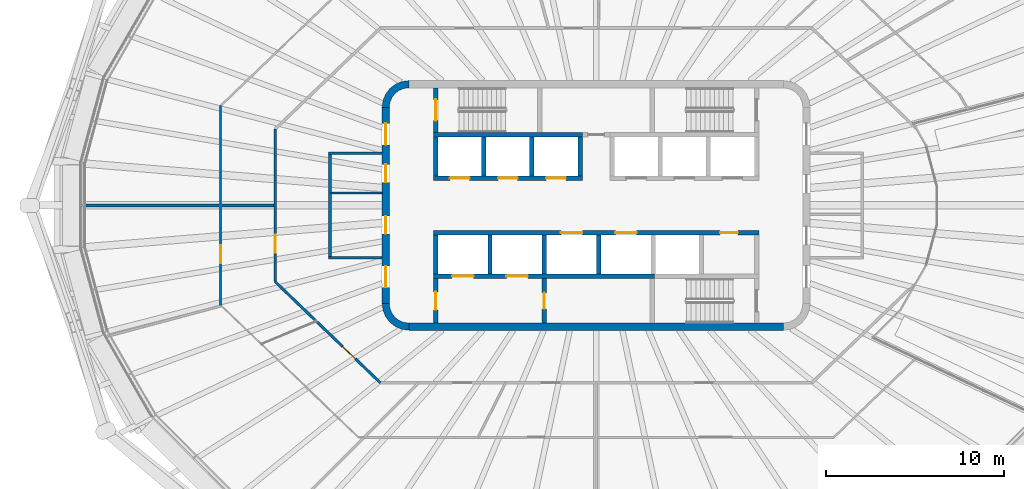
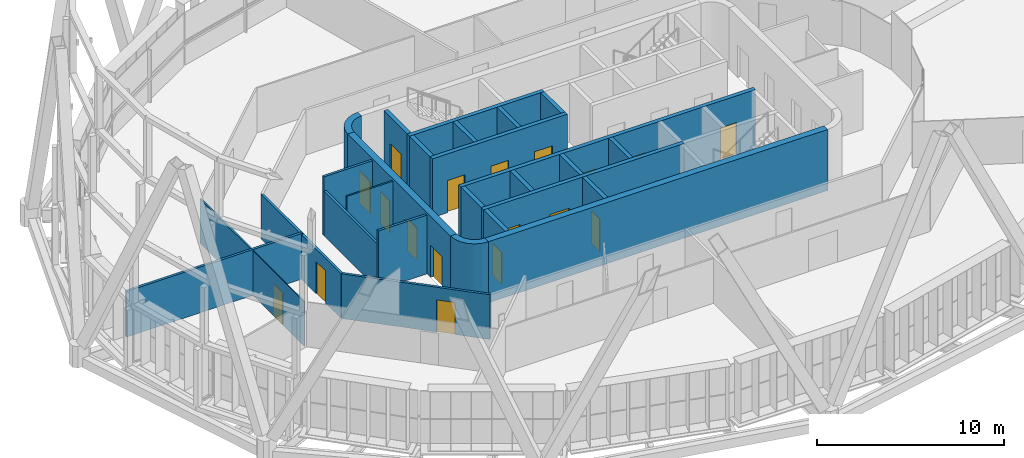
# One storey, part 12 of 22: 28 walls, 18 doors, 18 openings.
"""IFC4 building model written with IfcOpenShell, lengths in metres."""

from ifc_helpers import new_model, si_unit, direction, frame, frame_2d, origin, place, context, subcontext, project, spatial, polyline, rectangle, outline, extrude, material, layer, layer_set, type_object, element, fill, save


model = new_model("IFC4")

# Units and contexts
model_context = context("Model", 3, precision=1e-05, world=origin(), true_north=direction((0.0, 1.0)))
body_context = subcontext(model_context, "Body", "Model", "MODEL_VIEW")
ifc_project = project(units=[si_unit("LENGTHUNIT", "METRE"), si_unit("AREAUNIT", "SQUARE_METRE"), si_unit("VOLUMEUNIT", "CUBIC_METRE"), si_unit("PLANEANGLEUNIT", "RADIAN"), si_unit("MASSUNIT", "GRAM", prefix="KILO")], contexts=[model_context])

# Site, building, storey
site_placement = place(None, origin())
site = spatial("IfcSite", under=ifc_project, at=site_placement, CompositionType="ELEMENT")
building_placement = place(site_placement, origin())
building = spatial("IfcBuilding", under=site, at=building_placement, Name="Sahrelin Media Tower", CompositionType="ELEMENT")
storey_placement = place(building_placement, frame((0.0, 0.0, 283.0)))
storey = spatial("IfcBuildingStorey", under=building, at=storey_placement, Name="L62", CompositionType="ELEMENT", Elevation=283.0)

# Wall
ifc_material_1 = material(Name="Concrete C60/75", Category="concrete")
ifc_layer_1 = layer(ifc_material_1, 0.39990234375)
ifc_layer_set_1 = layer_set([ifc_layer_1], Name="Core wall 400")
wall_type_1 = type_object("IfcWallType", Name="Core wall 400", PredefinedType="SHEAR", material=ifc_layer_set_1)
wall_1_placement = place(storey_placement, frame((-10.5, -6.800048828125, 0.0), z_axis=(0.0, 0.0, 1.0), x_axis=(1.0, 0.0, 0.0)))
element("IfcWall", 1, at=wall_1_placement, inside=storey, type_object=wall_type_1, Name="Core wall S L62", PredefinedType="SHEAR", context=body_context, shape_type="SweptSolid", body=[
    extrude(rectangle(XDim=21.0, YDim=0.39990234375, at=frame_2d((10.5, 0.0))), origin(), (0.0, 0.0, 1.0), 4.0),
])

# Wall, openings, doors
wall_2_placement = place(storey_placement, frame((-11.800048828125, -5.5, 0.0), z_axis=(0.0, 0.0, 1.0), x_axis=(0.0, 1.0, 0.0)))
wall_2 = element("IfcWall", 2, at=wall_2_placement, inside=storey, type_object=wall_type_1, Name="Core wall W L62", PredefinedType="SHEAR", context=body_context, shape_type="SweptSolid", body=[
    extrude(rectangle(XDim=11.0, YDim=0.39990234375, at=frame_2d((5.5, 0.0))), origin(), (0.0, 0.0, 1.0), 4.0),
])
opening_1_placement = place(wall_2_placement, frame((3.89990234375, 0.0, 0.0)))
opening_1 = element("IfcOpeningElement", 3, at=opening_1_placement, cuts=wall_2, Name="Opening L62-D08", PredefinedType="OPENING", context=body_context, shape_type="SweptSolid", body=[
    extrude(rectangle(XDim=1.0, YDim=2.10009765625, at=frame_2d((0.5, 1.050048828125))), frame((0.0, 0.199951171875, 0.0), z_axis=(0.0, -1.0, 0.0), x_axis=(1.0, 0.0, 0.0)), (0.0, 0.0, 1.0), 0.39990234375),
])
opening_2_placement = place(wall_2_placement, frame((6.800048828125, 0.0, 0.0)))
opening_2 = element("IfcOpeningElement", 4, at=opening_2_placement, cuts=wall_2, Name="Opening L62-D09", PredefinedType="OPENING", context=body_context, shape_type="SweptSolid", body=[
    extrude(rectangle(XDim=1.0, YDim=2.10009765625, at=frame_2d((0.5, 1.050048828125))), frame((0.0, 0.199951171875, 0.0), z_axis=(0.0, -1.0, 0.0), x_axis=(1.0, 0.0, 0.0)), (0.0, 0.0, 1.0), 0.39990234375),
])
opening_3_placement = place(wall_2_placement, frame((0.89990234375, 0.0, 0.0)))
opening_3 = element("IfcOpeningElement", 5, at=opening_3_placement, cuts=wall_2, Name="Opening L62-D12", PredefinedType="OPENING", context=body_context, shape_type="SweptSolid", body=[
    extrude(rectangle(XDim=1.199951171875, YDim=2.10009765625, at=frame_2d((0.60009765625, 1.050048828125))), frame((0.0, 0.199951171875, 0.0), z_axis=(0.0, -1.0, 0.0), x_axis=(1.0, 0.0, 0.0)), (0.0, 0.0, 1.0), 0.39990234375),
])
opening_4_placement = place(wall_2_placement, frame((8.89990234375, 0.0, 0.0)))
opening_4 = element("IfcOpeningElement", 6, at=opening_4_placement, cuts=wall_2, Name="Opening L62-D13", PredefinedType="OPENING", context=body_context, shape_type="SweptSolid", body=[
    extrude(rectangle(XDim=1.199951171875, YDim=2.10009765625, at=frame_2d((0.60009765625, 1.050048828125))), frame((0.0, 0.199951171875, 0.0), z_axis=(0.0, -1.0, 0.0), x_axis=(1.0, 0.0, 0.0)), (0.0, 0.0, 1.0), 0.39990234375),
])
ifc_material_2 = material(Name="Steel fire door leaf", Category="steel")
door_type_1 = type_object("IfcDoorType", Name="Fire door 1000 x 2100 EI 60", OperationType="NOTDEFINED", PredefinedType="DOOR", material=ifc_material_2)
door_1_placement = place(opening_1_placement, origin())
door_1 = element("IfcDoor", 7, at=door_1_placement, inside=storey, type_object=door_type_1, Name="Core room door", OperationType="SINGLE_SWING_RIGHT", OverallHeight=2.10009765625, OverallWidth=1.0, PredefinedType="DOOR", context=body_context, shape_type="SweptSolid", body=[
    extrude(rectangle(XDim=1.0, YDim=2.10009765625, at=frame_2d((0.5, 1.050048828125))), frame((0.0, 0.02490234375, 0.0), z_axis=(0.0, -1.0, 0.0), x_axis=(1.0, 0.0, 0.0)), (0.0, 0.0, 1.0), 0.050048828125),
])
fill(opening_1, door_1)
door_2_placement = place(opening_2_placement, origin())
door_2 = element("IfcDoor", 8, at=door_2_placement, inside=storey, type_object=door_type_1, Name="Core room door", OperationType="SINGLE_SWING_RIGHT", OverallHeight=2.10009765625, OverallWidth=1.0, PredefinedType="DOOR", context=body_context, shape_type="SweptSolid", body=[
    extrude(rectangle(XDim=1.0, YDim=2.10009765625, at=frame_2d((0.5, 1.050048828125))), frame((0.0, 0.02490234375, 0.0), z_axis=(0.0, -1.0, 0.0), x_axis=(1.0, 0.0, 0.0)), (0.0, 0.0, 1.0), 0.050048828125),
])
fill(opening_2, door_2)
door_type_2 = type_object("IfcDoorType", Name="Lobby door 1200 x 2100 EI 60", OperationType="NOTDEFINED", PredefinedType="DOOR", material=ifc_material_2)
door_3_placement = place(opening_3_placement, origin())
door_3 = element("IfcDoor", 9, at=door_3_placement, inside=storey, type_object=door_type_2, Name="Lobby door", OperationType="SINGLE_SWING_LEFT", OverallHeight=2.10009765625, OverallWidth=1.199951171875, PredefinedType="DOOR", context=body_context, shape_type="SweptSolid", body=[
    extrude(rectangle(XDim=1.199951171875, YDim=2.10009765625, at=frame_2d((0.60009765625, 1.050048828125))), frame((0.0, 0.02490234375, 0.0), z_axis=(0.0, -1.0, 0.0), x_axis=(1.0, 0.0, 0.0)), (0.0, 0.0, 1.0), 0.050048828125),
])
fill(opening_3, door_3)
door_4_placement = place(opening_4_placement, origin())
door_4 = element("IfcDoor", 10, at=door_4_placement, inside=storey, type_object=door_type_2, Name="Lobby door", OperationType="SINGLE_SWING_LEFT", OverallHeight=2.10009765625, OverallWidth=1.199951171875, PredefinedType="DOOR", context=body_context, shape_type="SweptSolid", body=[
    extrude(rectangle(XDim=1.199951171875, YDim=2.10009765625, at=frame_2d((0.60009765625, 1.050048828125))), frame((0.0, 0.02490234375, 0.0), z_axis=(0.0, -1.0, 0.0), x_axis=(1.0, 0.0, 0.0)), (0.0, 0.0, 1.0), 0.050048828125),
])
fill(opening_4, door_4)

# Walls
placement = place(storey_placement, origin())
element("IfcWall", 11, at=placement, inside=storey, type_object=wall_type_1, Name="Core wall corner NW L62", PredefinedType="SHEAR", context=body_context, shape_type="SweptSolid", body=[
    extrude(outline(polyline([(-12.0, 5.5), (-11.596435546875, 5.5), (-11.55908203125, 5.78369140625), (-11.44970703125, 6.04833984375), (-11.275390625, 6.275390625), (-11.04833984375, 6.44970703125), (-10.78369140625, 6.55908203125), (-10.5, 6.596435546875), (-10.5, 7.0), (-10.88818359375, 6.948974609375), (-11.25, 6.799072265625), (-11.560791015625, 6.560791015625), (-11.799072265625, 6.25), (-11.948974609375, 5.88818359375), (-12.0, 5.5)])), origin(), (0.0, 0.0, 1.0), 4.0),
])
element("IfcWall", 12, at=placement, inside=storey, type_object=wall_type_1, Name="Core wall corner SW L62", PredefinedType="SHEAR", context=body_context, shape_type="SweptSolid", body=[
    extrude(outline(polyline([(-10.5, -7.0), (-10.5, -6.596435546875), (-10.78369140625, -6.55908203125), (-11.04833984375, -6.44970703125), (-11.275390625, -6.275390625), (-11.44970703125, -6.04833984375), (-11.55908203125, -5.78369140625), (-11.596435546875, -5.5), (-12.0, -5.5), (-11.948974609375, -5.88818359375), (-11.799072265625, -6.25), (-11.560791015625, -6.560791015625), (-11.25, -6.799072265625), (-10.88818359375, -6.948974609375), (-10.5, -7.0)])), origin(), (0.0, 0.0, 1.0), 4.0),
])
ifc_material_3 = material(Name="Fire-rated gypsum board partition")
ifc_layer_2 = layer(ifc_material_3, 0.10009765625)
ifc_layer_set_2 = layer_set([ifc_layer_2], Name="Fire-rated partition 100")
wall_type_2 = type_object("IfcWallType", Name="Fire-rated partition 100", PredefinedType="PARTITIONING", material=ifc_layer_set_2)
wall_5_placement = place(storey_placement, frame((-14.85009765625, 0.699951171875, 0.0), z_axis=(0.0, 0.0, 1.0), x_axis=(1.0, 0.0, 0.0)))
element("IfcWall", 13, at=wall_5_placement, inside=storey, type_object=wall_type_2, Name="Core room partition", PredefinedType="PARTITIONING", context=body_context, shape_type="SweptSolid", body=[
    extrude(rectangle(XDim=2.85009765625, YDim=0.10009765625, at=frame_2d((1.425048828125, 0.0))), origin(), (0.0, 0.0, 1.0), 3.85009765625),
])
ifc_layer_3 = layer(ifc_material_3, 0.14990234375)
ifc_layer_set_3 = layer_set([ifc_layer_3], Name="Fire-rated partition 150")
wall_type_3 = type_object("IfcWallType", Name="Fire-rated partition 150", PredefinedType="PARTITIONING", material=ifc_layer_set_3)
wall_6_placement = place(storey_placement, frame((-14.925048828125, -2.85009765625, 0.0), z_axis=(0.0, 0.0, 1.0), x_axis=(0.0, 1.0, 0.0)))
element("IfcWall", 14, at=wall_6_placement, inside=storey, type_object=wall_type_3, Name="Core room fire partition", PredefinedType="PARTITIONING", context=body_context, shape_type="SweptSolid", body=[
    extrude(rectangle(XDim=5.7001953125, YDim=0.14990234375, at=frame_2d((2.85009765625, 0.0))), origin(), (0.0, 0.0, 1.0), 2.918212890625),
])
for number, where, z_axis, x_axis, name in (
    (15, (-15.0, 2.925048828125, 0.0), (0.0, 0.0, 1.0), (1.0, 0.0, 0.0), "Core room fire partition"),
    (16, (-15.0, -2.925048828125, 0.0), (0.0, 0.0, 1.0), (1.0, 0.0, 0.0), "Core room fire partition"),
):
    element("IfcWall", number, at=place(storey_placement, frame(where, z_axis=z_axis, x_axis=x_axis)), inside=storey, type_object=wall_type_3, Name=name, PredefinedType="PARTITIONING", context=body_context, shape_type="SweptSolid", body=[
        extrude(rectangle(XDim=3.0, YDim=0.14990234375, at=frame_2d((1.5, 0.0))), origin(), (0.0, 0.0, 1.0), 3.85009765625),
    ])

# Wall, opening, door
wall_7_placement = place(storey_placement, frame((-18.0, -4.278076171875, 0.0), z_axis=(0.0, 0.0, 1.0), x_axis=(0.721290181137, -0.692633001376, 0.0)))
wall_7 = element("IfcWall", 17, at=wall_7_placement, inside=storey, type_object=wall_type_3, Name="Wall", PredefinedType="PARTITIONING", context=body_context, shape_type="SweptSolid", body=[
    extrude(rectangle(XDim=8.18701171875, YDim=0.14990234375, at=frame_2d((4.093505859375, 0.0))), origin(), (0.0, 0.0, 1.0), 2.927001953125),
])
opening_5_placement = place(wall_7_placement, frame((5.249267578125, 0.0, 0.0)))
opening_5 = element("IfcOpeningElement", 18, at=opening_5_placement, cuts=wall_7, Name="Opening L62-D27", PredefinedType="OPENING", context=body_context, shape_type="SweptSolid", body=[
    extrude(rectangle(XDim=1.0, YDim=2.10009765625, at=frame_2d((0.5, 1.050048828125))), frame((0.0, 0.074951171875, 0.0), z_axis=(0.0, -1.0, 0.0), x_axis=(1.0, 0.0, 0.0)), (0.0, 0.0, 1.0), 0.14990234375),
])
door_5_placement = place(opening_5_placement, origin())
door_5 = element("IfcDoor", 19, at=door_5_placement, inside=storey, type_object=door_type_1, Name="Fire door", OperationType="SINGLE_SWING_LEFT", OverallHeight=2.10009765625, OverallWidth=1.0, PredefinedType="DOOR", context=body_context, shape_type="SweptSolid", body=[
    extrude(rectangle(XDim=1.0, YDim=2.10009765625, at=frame_2d((0.5, 1.050048828125))), frame((0.0, 0.02490234375, 0.0), z_axis=(0.0, -1.0, 0.0), x_axis=(1.0, 0.0, 0.0)), (0.0, 0.0, 1.0), 0.050048828125),
])
fill(opening_5, door_5)

# Wall
wall_8_placement = place(storey_placement, frame((-28.9189453125, 0.0, 0.0), z_axis=(0.0, 0.0, 1.0), x_axis=(1.0, 0.0, 0.0)))
element("IfcWall", 20, at=wall_8_placement, inside=storey, type_object=wall_type_3, Name="Wall", PredefinedType="PARTITIONING", context=body_context, shape_type="SweptSolid", body=[
    extrude(rectangle(XDim=10.9189453125, YDim=0.14990234375, at=frame_2d((5.45947265625, 0.0))), origin(), (0.0, 0.0, 1.0), 2.9951171875),
])

# Wall, opening, door
wall_9_placement = place(storey_placement, frame((-18.0, -4.278076171875, 0.0), z_axis=(0.0, 0.0, 1.0), x_axis=(0.0, 1.0, 0.0)))
wall_9 = element("IfcWall", 21, at=wall_9_placement, inside=storey, type_object=wall_type_3, Name="Wall", PredefinedType="PARTITIONING", context=body_context, shape_type="SweptSolid", body=[
    extrude(rectangle(XDim=8.55615234375, YDim=0.14990234375, at=frame_2d((4.278076171875, 0.0))), origin(), (0.0, 0.0, 1.0), 2.918212890625),
])
opening_6_placement = place(wall_9_placement, frame((1.638916015625, 0.0, 0.0)))
opening_6 = element("IfcOpeningElement", 22, at=opening_6_placement, cuts=wall_9, Name="Opening L62-D26", PredefinedType="OPENING", context=body_context, shape_type="SweptSolid", body=[
    extrude(rectangle(XDim=1.0, YDim=2.10009765625, at=frame_2d((0.5, 1.050048828125))), frame((0.0, 0.074951171875, 0.0), z_axis=(0.0, -1.0, 0.0), x_axis=(1.0, 0.0, 0.0)), (0.0, 0.0, 1.0), 0.14990234375),
])
door_6_placement = place(opening_6_placement, origin())
door_6 = element("IfcDoor", 23, at=door_6_placement, inside=storey, type_object=door_type_1, Name="Fire door", OperationType="SINGLE_SWING_LEFT", OverallHeight=2.10009765625, OverallWidth=1.0, PredefinedType="DOOR", context=body_context, shape_type="SweptSolid", body=[
    extrude(rectangle(XDim=1.0, YDim=2.10009765625, at=frame_2d((0.5, 1.050048828125))), frame((0.0, 0.02490234375, 0.0), z_axis=(0.0, -1.0, 0.0), x_axis=(1.0, 0.0, 0.0)), (0.0, 0.0, 1.0), 0.050048828125),
])
fill(opening_6, door_6)

ifc_layer_4 = layer(ifc_material_3, 0.25)
ifc_layer_set_4 = layer_set([ifc_layer_4], Name="Firefighting lobby wall 250")
wall_type_4 = type_object("IfcWallType", Name="Firefighting lobby wall 250", PredefinedType="PARTITIONING", material=ifc_layer_set_4)
wall_10_placement = place(storey_placement, frame((-9.0, -6.60009765625, 0.0), z_axis=(0.0, 0.0, 1.0), x_axis=(0.0, 1.0, 0.0)))
wall_10 = element("IfcWall", 24, at=wall_10_placement, inside=storey, type_object=wall_type_4, Name="Core wall", PredefinedType="PARTITIONING", context=body_context, shape_type="SweptSolid", body=[
    extrude(rectangle(XDim=2.5, YDim=0.25, at=frame_2d((1.25, 0.0))), origin(), (0.0, 0.0, 1.0), 3.85009765625),
])
opening_7_placement = place(wall_10_placement, frame((0.75, 0.0, 0.0)))
opening_7 = element("IfcOpeningElement", 25, at=opening_7_placement, cuts=wall_10, Name="Opening L62-D04", PredefinedType="OPENING", context=body_context, shape_type="SweptSolid", body=[
    extrude(rectangle(XDim=1.0, YDim=2.10009765625, at=frame_2d((0.5, 1.050048828125))), frame((0.0, 0.125, 0.0), z_axis=(0.0, -1.0, 0.0), x_axis=(1.0, 0.0, 0.0)), (0.0, 0.0, 1.0), 0.25),
])
door_type_3 = type_object("IfcDoorType", Name="Firefighting lobby door 1000 x 2100 EI 120", OperationType="NOTDEFINED", PredefinedType="DOOR", material=ifc_material_2)
door_7_placement = place(opening_7_placement, origin())
door_7 = element("IfcDoor", 26, at=door_7_placement, inside=storey, type_object=door_type_3, Name="Firefighting lobby door", OperationType="SINGLE_SWING_LEFT", OverallHeight=2.10009765625, OverallWidth=1.0, PredefinedType="DOOR", context=body_context, shape_type="SweptSolid", body=[
    extrude(rectangle(XDim=1.0, YDim=2.10009765625, at=frame_2d((0.5, 1.050048828125))), frame((0.0, 0.02490234375, 0.0), z_axis=(0.0, -1.0, 0.0), x_axis=(1.0, 0.0, 0.0)), (0.0, 0.0, 1.0), 0.050048828125),
])
fill(opening_7, door_7)

wall_11_placement = place(storey_placement, frame((-2.89990234375, -6.60009765625, 0.0), z_axis=(0.0, 0.0, 1.0), x_axis=(0.0, 1.0, 0.0)))
wall_11 = element("IfcWall", 27, at=wall_11_placement, inside=storey, type_object=wall_type_4, Name="Core wall", PredefinedType="PARTITIONING", context=body_context, shape_type="SweptSolid", body=[
    extrude(rectangle(XDim=2.5, YDim=0.25, at=frame_2d((1.25, 0.0))), origin(), (0.0, 0.0, 1.0), 3.85009765625),
])
opening_8_placement = place(wall_11_placement, frame((0.800048828125, 0.0, 0.0)))
opening_8 = element("IfcOpeningElement", 28, at=opening_8_placement, cuts=wall_11, Name="Opening L62-D05", PredefinedType="OPENING", context=body_context, shape_type="SweptSolid", body=[
    extrude(rectangle(XDim=0.89990234375, YDim=2.10009765625, at=frame_2d((0.449951171875, 1.050048828125))), frame((0.0, 0.125, 0.0), z_axis=(0.0, -1.0, 0.0), x_axis=(1.0, 0.0, 0.0)), (0.0, 0.0, 1.0), 0.25),
])
door_type_4 = type_object("IfcDoorType", Name="Firefighting lobby door 900 x 2100 EI 120", OperationType="NOTDEFINED", PredefinedType="DOOR", material=ifc_material_2)
door_8_placement = place(opening_8_placement, origin())
door_8 = element("IfcDoor", 29, at=door_8_placement, inside=storey, type_object=door_type_4, Name="Riser door", OperationType="SINGLE_SWING_RIGHT", OverallHeight=2.10009765625, OverallWidth=0.89990234375, PredefinedType="DOOR", context=body_context, shape_type="SweptSolid", body=[
    extrude(rectangle(XDim=0.89990234375, YDim=2.10009765625, at=frame_2d((0.449951171875, 1.050048828125))), frame((0.0, 0.02490234375, 0.0), z_axis=(0.0, -1.0, 0.0), x_axis=(1.0, 0.0, 0.0)), (0.0, 0.0, 1.0), 0.050048828125),
])
fill(opening_8, door_8)

ifc_material_4 = material(Name="Clear glass", Category="glass")
ifc_layer_5 = layer(ifc_material_4, 0.050048828125)
ifc_layer_set_5 = layer_set([ifc_layer_5], Name="Glazed partition 50")
wall_type_5 = type_object("IfcWallType", Name="Glazed partition 50", PredefinedType="PARTITIONING", material=ifc_layer_set_5)
wall_12_placement = place(storey_placement, frame((-21.06005859375, -5.58203125, 0.0), z_axis=(0.0, 0.0, 1.0), x_axis=(0.0, 1.0, 0.0)))
wall_12 = element("IfcWall", 30, at=wall_12_placement, inside=storey, type_object=wall_type_5, Name="Wall", PredefinedType="PARTITIONING", context=body_context, shape_type="SweptSolid", body=[
    extrude(rectangle(XDim=5.58203125, YDim=0.050048828125, at=frame_2d((2.791015625, 0.0))), origin(), (0.0, 0.0, 1.0), 2.918212890625),
])
opening_9_placement = place(wall_12_placement, frame((2.34228515625, 0.0, 0.0)))
opening_9 = element("IfcOpeningElement", 31, at=opening_9_placement, cuts=wall_12, Name="Opening L62-D28", PredefinedType="OPENING", context=body_context, shape_type="SweptSolid", body=[
    extrude(rectangle(XDim=1.0, YDim=2.10009765625, at=frame_2d((0.5, 1.050048828125))), frame((0.0, 0.02490234375, 0.0), z_axis=(0.0, -1.0, 0.0), x_axis=(1.0, 0.0, 0.0)), (0.0, 0.0, 1.0), 0.050048828125),
])
door_type_5 = type_object("IfcDoorType", Name="Glazed door 1000 x 2100", OperationType="NOTDEFINED", PredefinedType="DOOR", material=ifc_material_4)
door_9_placement = place(opening_9_placement, origin())
door_9 = element("IfcDoor", 32, at=door_9_placement, inside=storey, type_object=door_type_5, Name="Glazed door", OperationType="SINGLE_SWING_LEFT", OverallHeight=2.10009765625, OverallWidth=1.0, PredefinedType="DOOR", context=body_context, shape_type="SweptSolid", body=[
    extrude(rectangle(XDim=1.0, YDim=2.10009765625, at=frame_2d((0.5, 1.050048828125))), frame((0.0, 0.02490234375, 0.0), z_axis=(0.0, -1.0, 0.0), x_axis=(1.0, 0.0, 0.0)), (0.0, 0.0, 1.0), 0.049560546875),
])
fill(opening_9, door_9)

# Wall, openings, doors
ifc_layer_6 = layer(ifc_material_1, 0.25)
ifc_layer_set_6 = layer_set([ifc_layer_6], Name="Lift shaft wall 250")
wall_type_6 = type_object("IfcWallType", Name="Lift shaft wall 250", PredefinedType="SOLIDWALL", material=ifc_layer_set_6)
wall_13_placement = place(storey_placement, frame((-9.125, 1.52490234375, 0.0), z_axis=(0.0, 0.0, 1.0), x_axis=(1.0, 0.0, 0.0)))
wall_13 = element("IfcWall", 33, at=wall_13_placement, inside=storey, type_object=wall_type_6, Name="Lift shaft wall", PredefinedType="SOLIDWALL", context=body_context, shape_type="SweptSolid", body=[
    extrude(rectangle(XDim=8.35009765625, YDim=0.25, at=frame_2d((4.175048828125, 0.0))), origin(), (0.0, 0.0, 1.0), 3.85009765625),
])
opening_10_placement = place(wall_13_placement, frame((0.925048828125, 0.0, 0.0)))
opening_10 = element("IfcOpeningElement", 34, at=opening_10_placement, cuts=wall_13, Name="Opening L62-LD-HR1", PredefinedType="OPENING", context=body_context, shape_type="SweptSolid", body=[
    extrude(rectangle(XDim=1.10009765625, YDim=2.10009765625, at=frame_2d((0.550048828125, 1.050048828125))), frame((0.0, 0.125, 0.0), z_axis=(0.0, -1.0, 0.0), x_axis=(1.0, 0.0, 0.0)), (0.0, 0.0, 1.0), 0.25),
])
opening_11_placement = place(wall_13_placement, frame((3.625, 0.0, 0.0)))
opening_11 = element("IfcOpeningElement", 35, at=opening_11_placement, cuts=wall_13, Name="Opening L62-LD-HR2", PredefinedType="OPENING", context=body_context, shape_type="SweptSolid", body=[
    extrude(rectangle(XDim=1.10009765625, YDim=2.10009765625, at=frame_2d((0.550048828125, 1.050048828125))), frame((0.0, 0.125, 0.0), z_axis=(0.0, -1.0, 0.0), x_axis=(1.0, 0.0, 0.0)), (0.0, 0.0, 1.0), 0.25),
])
opening_12_placement = place(wall_13_placement, frame((6.324951171875, 0.0, 0.0)))
opening_12 = element("IfcOpeningElement", 36, at=opening_12_placement, cuts=wall_13, Name="Opening L62-LD-HR3", PredefinedType="OPENING", context=body_context, shape_type="SweptSolid", body=[
    extrude(rectangle(XDim=1.10009765625, YDim=2.10009765625, at=frame_2d((0.550048828125, 1.050048828125))), frame((0.0, 0.125, 0.0), z_axis=(0.0, -1.0, 0.0), x_axis=(1.0, 0.0, 0.0)), (0.0, 0.0, 1.0), 0.25),
])
ifc_material_5 = material(Name="Stainless steel", Category="steel")
door_type_6 = type_object("IfcDoorType", Name="Lift landing door 1100 x 2100 EI 120", OperationType="DOUBLE_DOOR_SLIDING", PredefinedType="DOOR", material=ifc_material_5)
door_10_placement = place(opening_10_placement, origin())
door_10 = element("IfcDoor", 37, at=door_10_placement, inside=storey, type_object=door_type_6, Name="Lift landing door HR1", OperationType="DOUBLE_DOOR_SLIDING", OverallHeight=2.10009765625, OverallWidth=1.10009765625, PredefinedType="DOOR", context=body_context, shape_type="SweptSolid", body=[
    extrude(rectangle(XDim=1.10009765625, YDim=2.10009765625, at=frame_2d((0.550048828125, 1.050048828125))), frame((0.0, 0.02490234375, 0.0), z_axis=(0.0, -1.0, 0.0), x_axis=(1.0, 0.0, 0.0)), (0.0, 0.0, 1.0), 0.050048828125),
])
fill(opening_10, door_10)
door_11_placement = place(opening_11_placement, origin())
door_11 = element("IfcDoor", 38, at=door_11_placement, inside=storey, type_object=door_type_6, Name="Lift landing door HR2", OperationType="DOUBLE_DOOR_SLIDING", OverallHeight=2.10009765625, OverallWidth=1.10009765625, PredefinedType="DOOR", context=body_context, shape_type="SweptSolid", body=[
    extrude(rectangle(XDim=1.10009765625, YDim=2.10009765625, at=frame_2d((0.550048828125, 1.050048828125))), frame((0.0, 0.02490234375, 0.0), z_axis=(0.0, -1.0, 0.0), x_axis=(1.0, 0.0, 0.0)), (0.0, 0.0, 1.0), 0.050048828125),
])
fill(opening_11, door_11)
door_12_placement = place(opening_12_placement, origin())
door_12 = element("IfcDoor", 39, at=door_12_placement, inside=storey, type_object=door_type_6, Name="Lift landing door HR3", OperationType="DOUBLE_DOOR_SLIDING", OverallHeight=2.10009765625, OverallWidth=1.10009765625, PredefinedType="DOOR", context=body_context, shape_type="SweptSolid", body=[
    extrude(rectangle(XDim=1.10009765625, YDim=2.10009765625, at=frame_2d((0.550048828125, 1.050048828125))), frame((0.0, 0.02490234375, 0.0), z_axis=(0.0, -1.0, 0.0), x_axis=(1.0, 0.0, 0.0)), (0.0, 0.0, 1.0), 0.050048828125),
])
fill(opening_12, door_12)

# Walls
wall_14_placement = place(storey_placement, frame((-9.125, 3.97509765625, 0.0), z_axis=(0.0, 0.0, 1.0), x_axis=(1.0, 0.0, 0.0)))
element("IfcWall", 40, at=wall_14_placement, inside=storey, type_object=wall_type_6, Name="Lift shaft wall", PredefinedType="SOLIDWALL", context=body_context, shape_type="SweptSolid", body=[
    extrude(rectangle(XDim=8.35009765625, YDim=0.25, at=frame_2d((4.175048828125, 0.0))), origin(), (0.0, 0.0, 1.0), 3.85009765625),
])
for number, where, z_axis, x_axis, name in (
    (41, (-9.0, 1.64990234375, 0.0), (0.0, 0.0, 1.0), (0.0, 1.0, 0.0), "Lift shaft wall"),
    (42, (-6.300048828125, 1.64990234375, 0.0), (0.0, 0.0, 1.0), (0.0, 1.0, 0.0), "Lift shaft wall"),
    (43, (-3.60009765625, 1.64990234375, 0.0), (0.0, 0.0, 1.0), (0.0, 1.0, 0.0), "Lift shaft wall"),
    (44, (-0.89990234375, 1.64990234375, 0.0), (0.0, 0.0, 1.0), (0.0, 1.0, 0.0), "Lift shaft wall"),
):
    element("IfcWall", number, at=place(storey_placement, frame(where, z_axis=z_axis, x_axis=x_axis)), inside=storey, type_object=wall_type_6, Name=name, PredefinedType="SOLIDWALL", context=body_context, shape_type="SweptSolid", body=[
        extrude(rectangle(XDim=2.2001953125, YDim=0.25, at=frame_2d((1.10009765625, 0.0))), origin(), (0.0, 0.0, 1.0), 3.85009765625),
    ])

# Wall, openings, doors
wall_15_placement = place(storey_placement, frame((-9.125, -1.52490234375, 0.0), z_axis=(0.0, 0.0, 1.0), x_axis=(1.0, 0.0, 0.0)))
wall_15 = element("IfcWall", 45, at=wall_15_placement, inside=storey, type_object=wall_type_6, Name="Lift shaft wall", PredefinedType="SOLIDWALL", context=body_context, shape_type="SweptSolid", body=[
    extrude(rectangle(XDim=18.25, YDim=0.25, at=frame_2d((9.125, 0.0))), origin(), (0.0, 0.0, 1.0), 3.85009765625),
])
opening_13_placement = place(wall_15_placement, frame((7.14990234375, 0.0, 0.0)))
opening_13 = element("IfcOpeningElement", 46, at=opening_13_placement, cuts=wall_15, Name="Opening L62-LD-SV1", PredefinedType="OPENING", context=body_context, shape_type="SweptSolid", body=[
    extrude(rectangle(XDim=1.199951171875, YDim=2.10009765625, at=frame_2d((0.60009765625, 1.050048828125))), frame((0.0, 0.125, 0.0), z_axis=(0.0, -1.0, 0.0), x_axis=(1.0, 0.0, 0.0)), (0.0, 0.0, 1.0), 0.25),
])
opening_14_placement = place(wall_15_placement, frame((10.199951171875, 0.0, 0.0)))
opening_14 = element("IfcOpeningElement", 47, at=opening_14_placement, cuts=wall_15, Name="Opening L62-LD-SV2", PredefinedType="OPENING", context=body_context, shape_type="SweptSolid", body=[
    extrude(rectangle(XDim=1.199951171875, YDim=2.10009765625, at=frame_2d((0.60009765625, 1.050048828125))), frame((0.0, 0.125, 0.0), z_axis=(0.0, -1.0, 0.0), x_axis=(1.0, 0.0, 0.0)), (0.0, 0.0, 1.0), 0.25),
])
opening_15_placement = place(wall_15_placement, frame((16.074951171875, 0.0, 0.0)))
opening_15 = element("IfcOpeningElement", 48, at=opening_15_placement, cuts=wall_15, Name="Opening L62-D07", PredefinedType="OPENING", context=body_context, shape_type="SweptSolid", body=[
    extrude(rectangle(XDim=1.0, YDim=2.10009765625, at=frame_2d((0.5, 1.050048828125))), frame((0.0, 0.125, 0.0), z_axis=(0.0, -1.0, 0.0), x_axis=(1.0, 0.0, 0.0)), (0.0, 0.0, 1.0), 0.25),
])
door_13_placement = place(opening_15_placement, origin())
door_13 = element("IfcDoor", 49, at=door_13_placement, inside=storey, type_object=door_type_1, Name="Core room door", OperationType="SINGLE_SWING_RIGHT", OverallHeight=2.10009765625, OverallWidth=1.0, PredefinedType="DOOR", context=body_context, shape_type="SweptSolid", body=[
    extrude(rectangle(XDim=1.0, YDim=2.10009765625, at=frame_2d((0.5, 1.050048828125))), frame((0.0, 0.02490234375, 0.0), z_axis=(0.0, -1.0, 0.0), x_axis=(1.0, 0.0, 0.0)), (0.0, 0.0, 1.0), 0.050048828125),
])
fill(opening_15, door_13)
door_type_7 = type_object("IfcDoorType", Name="Lift landing door 1200 x 2100 EI 120", OperationType="DOUBLE_DOOR_SLIDING", PredefinedType="DOOR", material=ifc_material_5)
door_14_placement = place(opening_13_placement, origin())
door_14 = element("IfcDoor", 50, at=door_14_placement, inside=storey, type_object=door_type_7, Name="Lift landing door SV1", OperationType="DOUBLE_DOOR_SLIDING", OverallHeight=2.10009765625, OverallWidth=1.199951171875, PredefinedType="DOOR", context=body_context, shape_type="SweptSolid", body=[
    extrude(rectangle(XDim=1.199951171875, YDim=2.10009765625, at=frame_2d((0.60009765625, 1.050048828125))), frame((0.0, 0.02490234375, 0.0), z_axis=(0.0, -1.0, 0.0), x_axis=(1.0, 0.0, 0.0)), (0.0, 0.0, 1.0), 0.050048828125),
])
fill(opening_13, door_14)
door_15_placement = place(opening_14_placement, origin())
door_15 = element("IfcDoor", 51, at=door_15_placement, inside=storey, type_object=door_type_7, Name="Lift landing door SV2", OperationType="DOUBLE_DOOR_SLIDING", OverallHeight=2.10009765625, OverallWidth=1.199951171875, PredefinedType="DOOR", context=body_context, shape_type="SweptSolid", body=[
    extrude(rectangle(XDim=1.199951171875, YDim=2.10009765625, at=frame_2d((0.60009765625, 1.050048828125))), frame((0.0, 0.02490234375, 0.0), z_axis=(0.0, -1.0, 0.0), x_axis=(1.0, 0.0, 0.0)), (0.0, 0.0, 1.0), 0.050048828125),
])
fill(opening_14, door_15)

wall_16_placement = place(storey_placement, frame((-9.125, -3.97509765625, 0.0), z_axis=(0.0, 0.0, 1.0), x_axis=(1.0, 0.0, 0.0)))
wall_16 = element("IfcWall", 52, at=wall_16_placement, inside=storey, type_object=wall_type_6, Name="Lift shaft wall", PredefinedType="SOLIDWALL", context=body_context, shape_type="SweptSolid", body=[
    extrude(rectangle(XDim=12.39990234375, YDim=0.25, at=frame_2d((6.199951171875, 0.0))), origin(), (0.0, 0.0, 1.0), 3.85009765625),
])
opening_16_placement = place(wall_16_placement, frame((1.050048828125, 0.0, 0.0)))
opening_16 = element("IfcOpeningElement", 53, at=opening_16_placement, cuts=wall_16, Name="Opening L62-LD-FF1", PredefinedType="OPENING", context=body_context, shape_type="SweptSolid", body=[
    extrude(rectangle(XDim=1.199951171875, YDim=2.10009765625, at=frame_2d((0.60009765625, 1.050048828125))), frame((0.0, 0.125, 0.0), z_axis=(0.0, -1.0, 0.0), x_axis=(1.0, 0.0, 0.0)), (0.0, 0.0, 1.0), 0.25),
])
opening_17_placement = place(wall_16_placement, frame((4.10009765625, 0.0, 0.0)))
opening_17 = element("IfcOpeningElement", 54, at=opening_17_placement, cuts=wall_16, Name="Opening L62-LD-FF2", PredefinedType="OPENING", context=body_context, shape_type="SweptSolid", body=[
    extrude(rectangle(XDim=1.199951171875, YDim=2.10009765625, at=frame_2d((0.60009765625, 1.050048828125))), frame((0.0, 0.125, 0.0), z_axis=(0.0, -1.0, 0.0), x_axis=(1.0, 0.0, 0.0)), (0.0, 0.0, 1.0), 0.25),
])
door_16_placement = place(opening_16_placement, origin())
door_16 = element("IfcDoor", 55, at=door_16_placement, inside=storey, type_object=door_type_7, Name="Lift landing door FF1", OperationType="DOUBLE_DOOR_SLIDING", OverallHeight=2.10009765625, OverallWidth=1.199951171875, PredefinedType="DOOR", context=body_context, shape_type="SweptSolid", body=[
    extrude(rectangle(XDim=1.199951171875, YDim=2.10009765625, at=frame_2d((0.60009765625, 1.050048828125))), frame((0.0, 0.02490234375, 0.0), z_axis=(0.0, -1.0, 0.0), x_axis=(1.0, 0.0, 0.0)), (0.0, 0.0, 1.0), 0.050048828125),
])
fill(opening_16, door_16)
door_17_placement = place(opening_17_placement, origin())
door_17 = element("IfcDoor", 56, at=door_17_placement, inside=storey, type_object=door_type_7, Name="Lift landing door FF2", OperationType="DOUBLE_DOOR_SLIDING", OverallHeight=2.10009765625, OverallWidth=1.199951171875, PredefinedType="DOOR", context=body_context, shape_type="SweptSolid", body=[
    extrude(rectangle(XDim=1.199951171875, YDim=2.10009765625, at=frame_2d((0.60009765625, 1.050048828125))), frame((0.0, 0.02490234375, 0.0), z_axis=(0.0, -1.0, 0.0), x_axis=(1.0, 0.0, 0.0)), (0.0, 0.0, 1.0), 0.050048828125),
])
fill(opening_17, door_17)

# Walls
for number, where, z_axis, x_axis, name in (
    (57, (-9.0, -3.85009765625, 0.0), (0.0, 0.0, 1.0), (0.0, 1.0, 0.0), "Lift shaft wall"),
    (58, (-5.949951171875, -3.85009765625, 0.0), (0.0, 0.0, 1.0), (0.0, 1.0, 0.0), "Lift shaft wall"),
    (59, (-2.89990234375, -3.85009765625, 0.0), (0.0, 0.0, 1.0), (0.0, 1.0, 0.0), "Lift shaft wall"),
    (60, (0.14990234375, -3.85009765625, 0.0), (0.0, 0.0, 1.0), (0.0, 1.0, 0.0), "Lift shaft wall"),
):
    element("IfcWall", number, at=place(storey_placement, frame(where, z_axis=z_axis, x_axis=x_axis)), inside=storey, type_object=wall_type_6, Name=name, PredefinedType="SOLIDWALL", context=body_context, shape_type="SweptSolid", body=[
        extrude(rectangle(XDim=2.2001953125, YDim=0.25, at=frame_2d((1.10009765625, 0.0))), origin(), (0.0, 0.0, 1.0), 3.85009765625),
    ])
ifc_material_6 = material(Name="Gypsum board partition")
ifc_layer_7 = layer(ifc_material_6, 0.10009765625)
ifc_layer_set_7 = layer_set([ifc_layer_7], Name="Partition 100")
wall_type_7 = type_object("IfcWallType", Name="Partition 100", PredefinedType="PARTITIONING", material=ifc_layer_set_7)
wall_17_placement = place(storey_placement, frame((-21.06005859375, 0.0, 0.0), z_axis=(0.0, 0.0, 1.0), x_axis=(0.0, 1.0, 0.0)))
element("IfcWall", 61, at=wall_17_placement, inside=storey, type_object=wall_type_7, Name="Wall", PredefinedType="PARTITIONING", context=body_context, shape_type="SweptSolid", body=[
    extrude(rectangle(XDim=5.58203125, YDim=0.10009765625, at=frame_2d((2.791015625, 0.0))), origin(), (0.0, 0.0, 1.0), 2.918212890625),
])

# Wall, opening, door
ifc_layer_8 = layer(ifc_material_1, 0.25)
ifc_layer_set_8 = layer_set([ifc_layer_8], Name="Stair enclosure wall 250")
wall_type_8 = type_object("IfcWallType", Name="Stair enclosure wall 250", PredefinedType="SOLIDWALL", material=ifc_layer_set_8)
wall_18_placement = place(storey_placement, frame((-9.0, 4.10009765625, 0.0), z_axis=(0.0, 0.0, 1.0), x_axis=(0.0, 1.0, 0.0)))
wall_18 = element("IfcWall", 62, at=wall_18_placement, inside=storey, type_object=wall_type_8, Name="Stair enclosure wall", PredefinedType="SOLIDWALL", context=body_context, shape_type="SweptSolid", body=[
    extrude(rectangle(XDim=2.5, YDim=0.25, at=frame_2d((1.25, 0.0))), origin(), (0.0, 0.0, 1.0), 3.85009765625),
])
opening_18_placement = place(wall_18_placement, frame((0.64990234375, 0.0, 0.0)))
opening_18 = element("IfcOpeningElement", 63, at=opening_18_placement, cuts=wall_18, Name="Opening L62-D01", PredefinedType="OPENING", context=body_context, shape_type="SweptSolid", body=[
    extrude(rectangle(XDim=1.199951171875, YDim=2.10009765625, at=frame_2d((0.60009765625, 1.050048828125))), frame((0.0, 0.125, 0.0), z_axis=(0.0, -1.0, 0.0), x_axis=(1.0, 0.0, 0.0)), (0.0, 0.0, 1.0), 0.25),
])
door_type_8 = type_object("IfcDoorType", Name="Stair door 1200 x 2100 EI 120", OperationType="NOTDEFINED", PredefinedType="DOOR", material=ifc_material_2)
door_18_placement = place(opening_18_placement, origin())
door_18 = element("IfcDoor", 64, at=door_18_placement, inside=storey, type_object=door_type_8, Name="Stair door ST1", OperationType="SINGLE_SWING_RIGHT", OverallHeight=2.10009765625, OverallWidth=1.199951171875, PredefinedType="DOOR", context=body_context, shape_type="SweptSolid", body=[
    extrude(rectangle(XDim=1.199951171875, YDim=2.10009765625, at=frame_2d((0.60009765625, 1.050048828125))), frame((0.0, 0.02490234375, 0.0), z_axis=(0.0, -1.0, 0.0), x_axis=(1.0, 0.0, 0.0)), (0.0, 0.0, 1.0), 0.050048828125),
])
fill(opening_18, door_18)

save(model, "model.ifc")
